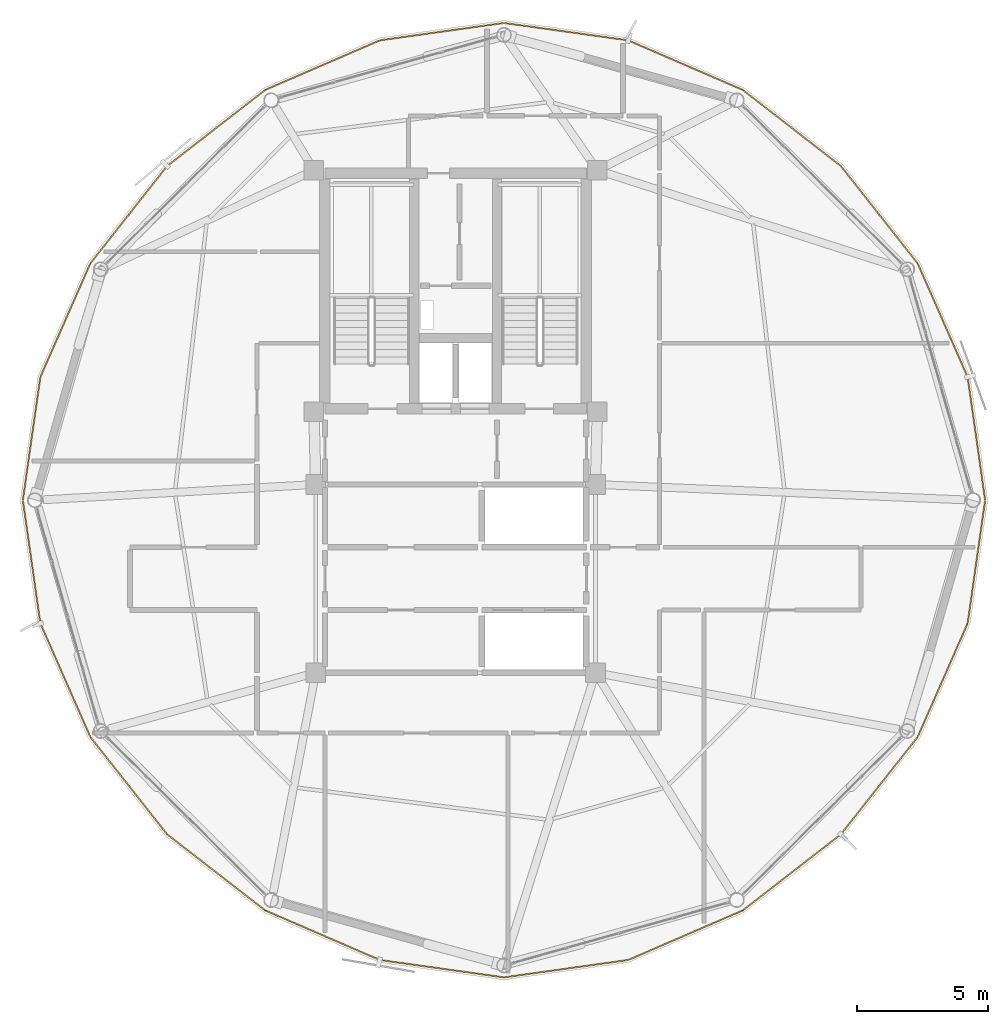
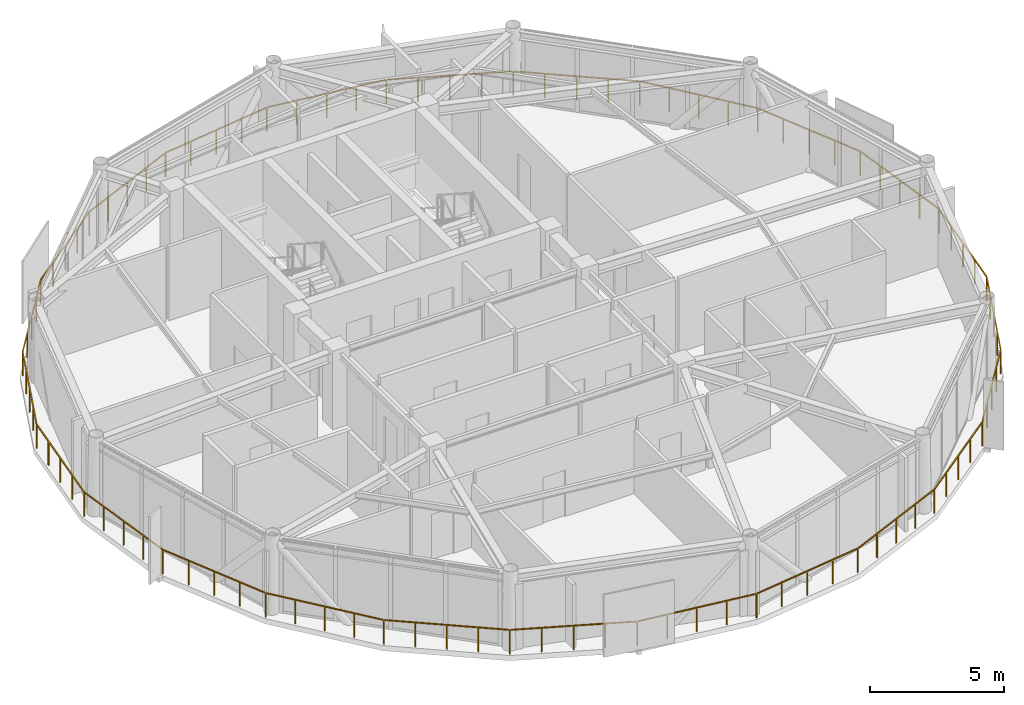
# One storey, part 24 of 25: 1 railing.
"""IFC4 building model written with IfcOpenShell, lengths in metres."""

from ifc_helpers import new_model, si_unit, direction, frame, origin, origin_2d, place, context, subcontext, project, spatial, rectangle, extrude, material, type_object, element, save


model = new_model("IFC4")

# Units and contexts
model_context = context("Model", 3, precision=1e-05, world=origin(), true_north=direction((0.0, 1.0)))
body_context = subcontext(model_context, "Body", "Model", "MODEL_VIEW")
ifc_project = project(units=[si_unit("LENGTHUNIT", "METRE"), si_unit("AREAUNIT", "SQUARE_METRE"), si_unit("VOLUMEUNIT", "CUBIC_METRE"), si_unit("PLANEANGLEUNIT", "RADIAN"), si_unit("MASSUNIT", "GRAM", prefix="KILO")], contexts=[model_context])

# Site, building, storey
site_placement = place(None, origin())
site = spatial("IfcSite", under=ifc_project, at=site_placement, CompositionType="ELEMENT")
building_placement = place(site_placement, origin())
building = spatial("IfcBuilding", under=site, at=building_placement, Name="Varnakorn Sky Granary", CompositionType="ELEMENT")
storey_placement = place(building_placement, frame((0.0, 0.0, 277.800048828125)))
storey = spatial("IfcBuildingStorey", under=building, at=storey_placement, Name="L71", CompositionType="ELEMENT", Elevation=277.800048828125)

# Railing
ifc_material = material(Name="Anodised Bronze Aluminium Alloy 6063-T6", Category="aluminium")
railing_type = type_object("IfcRailingType", Name="RL-BAL-1120", PredefinedType="BALUSTRADE", material=ifc_material)
railing_placement = place(storey_placement, frame((23.251953125, 0.0, 0.0)))
element("IfcRailing", 1, at=railing_placement, inside=storey, type_object=railing_type, Name="Perimeter Slab-Edge Safety Guard L71", PredefinedType="BALUSTRADE", context=body_context, shape_type="SweptSolid", body=[
    extrude(rectangle(XDim=0.048095703125, YDim=0.048095703125, at=origin_2d()), frame((-0.00390625, -0.02783203125, 1.09619140625), z_axis=(-0.140803517345, -0.990037559643, 0.0), x_axis=(0.990037559643, -0.140803517345, 0.0)), (0.0, 0.0, 1.0), 4.701904296875),
    extrude(rectangle(XDim=0.048095703125, YDim=0.048095703125, at=origin_2d()), frame((-0.68115234375, -4.736083984375, 1.09619140625), z_axis=(-0.402528367835, -0.915407512034, 0.0), x_axis=(0.915407512034, -0.402528367835, 0.0)), (0.0, 0.0, 1.0), 4.69189453125),
    extrude(rectangle(XDim=0.048095703125, YDim=0.048095703125, at=origin_2d()), frame((-2.598388671875, -9.07861328125, 1.09619140625), z_axis=(-0.619328599984, -0.785131890349, 0.0), x_axis=(0.785131890349, -0.619328599984, 0.0)), (0.0, 0.0, 1.0), 4.683837890625),
    extrude(rectangle(XDim=0.048095703125, YDim=0.048095703125, at=origin_2d()), frame((-5.538818359375, -12.795166015625, 1.09619140625), z_axis=(-0.790079575015, -0.613004294556, 0.0), x_axis=(0.613004294556, -0.790079575015, 0.0)), (0.0, 0.0, 1.0), 4.69384765625),
    extrude(rectangle(XDim=0.048095703125, YDim=0.048095703125, at=origin_2d()), frame((-9.294921875, -15.700927734375, 1.09619140625), z_axis=(-0.917774961964, -0.397100892963, 0.0), x_axis=(0.397100892963, -0.917774961964, 0.0)), (0.0, 0.0, 1.0), 4.71923828125),
    extrude(rectangle(XDim=0.048095703125, YDim=0.048095703125, at=origin_2d()), frame((-13.6796875, -17.58984375, 1.09619140625), z_axis=(-0.990340628366, -0.13865583222, 0.0), x_axis=(0.13865583222, -0.990340628366, 0.0)), (0.0, 0.0, 1.0), 4.740234375),
    extrude(rectangle(XDim=0.048095703125, YDim=0.048095703125, at=origin_2d()), frame((-18.4296875, -18.2470703125, 1.09619140625), z_axis=(-0.990340628366, 0.13865583222, 0.0), x_axis=(-0.13865583222, -0.990340628366, 0.0)), (0.0, 0.0, 1.0), 4.740234375),
    extrude(rectangle(XDim=0.048095703125, YDim=0.048095703125, at=origin_2d()), frame((-23.177490234375, -17.57470703125, 1.09619140625), z_axis=(-0.917783023517, 0.397082260676, 0.0), x_axis=(-0.397082260676, -0.917783023517, 0.0)), (0.0, 0.0, 1.0), 4.719482421875),
    extrude(rectangle(XDim=0.048095703125, YDim=0.048095703125, at=origin_2d()), frame((-27.556884765625, -15.672607421875, 1.09619140625), z_axis=(-0.790079575015, 0.613004294556, 0.0), x_axis=(-0.613004294556, -0.790079575015, 0.0)), (0.0, 0.0, 1.0), 4.69384765625),
    extrude(rectangle(XDim=0.048095703125, YDim=0.048095703125, at=origin_2d()), frame((-31.3046875, -12.756103515625, 1.09619140625), z_axis=(-0.619296847465, 0.785156936364, 0.0), x_axis=(-0.785156936364, -0.619296847465, 0.0)), (0.0, 0.0, 1.0), 4.683837890625),
    extrude(rectangle(XDim=0.048095703125, YDim=0.048095703125, at=origin_2d()), frame((-34.23388671875, -9.031005859375, 1.09619140625), z_axis=(-0.402571456311, 0.915388563706, 0.0), x_axis=(-0.915388563706, -0.402571456311, 0.0)), (0.0, 0.0, 1.0), 4.69189453125),
    extrude(rectangle(XDim=0.048095703125, YDim=0.048095703125, at=origin_2d()), frame((-36.137939453125, -4.6826171875, 1.09619140625), z_axis=(-0.140803517345, 0.990037559643, 0.0), x_axis=(-0.990037559643, -0.140803517345, 0.0)), (0.0, 0.0, 1.0), 4.701904296875),
    extrude(rectangle(XDim=0.048095703125, YDim=0.048095703125, at=origin_2d()), frame((-36.800048828125, 0.02783203125, 1.09619140625), z_axis=(0.140803517345, 0.990037559643, 0.0), x_axis=(-0.990037559643, 0.140803517345, 0.0)), (0.0, 0.0, 1.0), 4.701904296875),
    extrude(rectangle(XDim=0.048095703125, YDim=0.048095703125, at=origin_2d()), frame((-36.122802734375, 4.736083984375, 1.09619140625), z_axis=(0.402571456311, 0.915388563706, 0.0), x_axis=(-0.915388563706, 0.402571456311, 0.0)), (0.0, 0.0, 1.0), 4.69189453125),
    extrude(rectangle(XDim=0.048095703125, YDim=0.048095703125, at=origin_2d()), frame((-34.205322265625, 9.07861328125, 1.09619140625), z_axis=(0.619296847465, 0.785156936364, 0.0), x_axis=(-0.785156936364, 0.619296847465, 0.0)), (0.0, 0.0, 1.0), 4.683837890625),
    extrude(rectangle(XDim=0.048095703125, YDim=0.048095703125, at=origin_2d()), frame((-31.26513671875, 12.795166015625, 1.09619140625), z_axis=(0.790079575015, 0.613004294556, 0.0), x_axis=(-0.613004294556, 0.790079575015, 0.0)), (0.0, 0.0, 1.0), 4.69384765625),
    extrude(rectangle(XDim=0.048095703125, YDim=0.048095703125, at=origin_2d()), frame((-27.509033203125, 15.700927734375, 1.09619140625), z_axis=(0.917783023517, 0.397082260676, 0.0), x_axis=(-0.397082260676, 0.917783023517, 0.0)), (0.0, 0.0, 1.0), 4.719482421875),
    extrude(rectangle(XDim=0.048095703125, YDim=0.048095703125, at=origin_2d()), frame((-23.1240234375, 17.58984375, 1.09619140625), z_axis=(0.990340628366, 0.13865583222, 0.0), x_axis=(-0.13865583222, 0.990340628366, 0.0)), (0.0, 0.0, 1.0), 4.740234375),
    extrude(rectangle(XDim=0.048095703125, YDim=0.048095703125, at=origin_2d()), frame((-18.3740234375, 18.2470703125, 1.09619140625), z_axis=(0.990340628366, -0.13865583222, 0.0), x_axis=(0.13865583222, 0.990340628366, 0.0)), (0.0, 0.0, 1.0), 4.740234375),
    extrude(rectangle(XDim=0.048095703125, YDim=0.048095703125, at=origin_2d()), frame((-13.626220703125, 17.57470703125, 1.09619140625), z_axis=(0.917774961964, -0.397100892963, 0.0), x_axis=(0.397100892963, 0.917774961964, 0.0)), (0.0, 0.0, 1.0), 4.71923828125),
    extrude(rectangle(XDim=0.048095703125, YDim=0.048095703125, at=origin_2d()), frame((-9.2470703125, 15.672607421875, 1.09619140625), z_axis=(0.790079575015, -0.613004294556, 0.0), x_axis=(0.613004294556, 0.790079575015, 0.0)), (0.0, 0.0, 1.0), 4.69384765625),
    extrude(rectangle(XDim=0.048095703125, YDim=0.048095703125, at=origin_2d()), frame((-5.499267578125, 12.756103515625, 1.09619140625), z_axis=(0.619328599984, -0.785131890349, 0.0), x_axis=(0.785131890349, 0.619328599984, 0.0)), (0.0, 0.0, 1.0), 4.683837890625),
    extrude(rectangle(XDim=0.048095703125, YDim=0.048095703125, at=origin_2d()), frame((-2.56982421875, 9.031005859375, 1.09619140625), z_axis=(0.402528367835, -0.915407512034, 0.0), x_axis=(0.915407512034, 0.402528367835, 0.0)), (0.0, 0.0, 1.0), 4.69189453125),
    extrude(rectangle(XDim=0.048095703125, YDim=0.048095703125, at=origin_2d()), frame((-0.666015625, 4.6826171875, 1.09619140625), z_axis=(0.140803517345, -0.990037559643, 0.0), x_axis=(0.990037559643, 0.140803517345, 0.0)), (0.0, 0.0, 1.0), 4.701904296875),
    extrude(rectangle(XDim=0.0419921875, YDim=0.0419921875, at=origin_2d()), origin(), (0.0, 0.0, 1.0), 1.068115234375),
    extrude(rectangle(XDim=0.0419921875, YDim=0.0419921875, at=origin_2d()), frame((-0.16748046875, -1.177734375, 0.0)), (0.0, 0.0, 1.0), 1.068115234375),
    extrude(rectangle(XDim=0.0419921875, YDim=0.0419921875, at=origin_2d()), frame((-0.3349609375, -2.355224609375, 0.0)), (0.0, 0.0, 1.0), 1.068115234375),
    extrude(rectangle(XDim=0.0419921875, YDim=0.0419921875, at=origin_2d()), frame((-0.50244140625, -3.53271484375, 0.0)), (0.0, 0.0, 1.0), 1.068115234375),
    extrude(rectangle(XDim=0.0419921875, YDim=0.0419921875, at=origin_2d()), frame((-0.669921875, -4.71044921875, 0.0)), (0.0, 0.0, 1.0), 1.068115234375),
    extrude(rectangle(XDim=0.0419921875, YDim=0.0419921875, at=origin_2d()), frame((-1.147705078125, -5.796875, 0.0)), (0.0, 0.0, 1.0), 1.068115234375),
    extrude(rectangle(XDim=0.0419921875, YDim=0.0419921875, at=origin_2d()), frame((-1.62548828125, -6.883544921875, 0.0)), (0.0, 0.0, 1.0), 1.068115234375),
    extrude(rectangle(XDim=0.0419921875, YDim=0.0419921875, at=origin_2d()), frame((-2.103271484375, -7.97021484375, 0.0)), (0.0, 0.0, 1.0), 1.068115234375),
    extrude(rectangle(XDim=0.0419921875, YDim=0.0419921875, at=origin_2d()), frame((-2.5810546875, -9.056640625, 0.0)), (0.0, 0.0, 1.0), 1.068115234375),
    extrude(rectangle(XDim=0.0419921875, YDim=0.0419921875, at=origin_2d()), frame((-3.31494140625, -9.987060546875, 0.0)), (0.0, 0.0, 1.0), 1.068115234375),
    extrude(rectangle(XDim=0.0419921875, YDim=0.0419921875, at=origin_2d()), frame((-4.048828125, -10.91748046875, 0.0)), (0.0, 0.0, 1.0), 1.068115234375),
    extrude(rectangle(XDim=0.0419921875, YDim=0.0419921875, at=origin_2d()), frame((-4.78271484375, -11.84765625, 0.0)), (0.0, 0.0, 1.0), 1.068115234375),
    extrude(rectangle(XDim=0.0419921875, YDim=0.0419921875, at=origin_2d()), frame((-5.5166015625, -12.778076171875, 0.0)), (0.0, 0.0, 1.0), 1.068115234375),
    extrude(rectangle(XDim=0.0419921875, YDim=0.0419921875, at=origin_2d()), frame((-6.454833984375, -13.505859375, 0.0)), (0.0, 0.0, 1.0), 1.068115234375),
    extrude(rectangle(XDim=0.0419921875, YDim=0.0419921875, at=origin_2d()), frame((-7.39306640625, -14.23388671875, 0.0)), (0.0, 0.0, 1.0), 1.068115234375),
    extrude(rectangle(XDim=0.0419921875, YDim=0.0419921875, at=origin_2d()), frame((-8.3310546875, -14.9619140625, 0.0)), (0.0, 0.0, 1.0), 1.068115234375),
    extrude(rectangle(XDim=0.0419921875, YDim=0.0419921875, at=origin_2d()), frame((-9.269287109375, -15.689697265625, 0.0)), (0.0, 0.0, 1.0), 1.068115234375),
    extrude(rectangle(XDim=0.0419921875, YDim=0.0419921875, at=origin_2d()), frame((-10.364990234375, -16.163818359375, 0.0)), (0.0, 0.0, 1.0), 1.068115234375),
    extrude(rectangle(XDim=0.0419921875, YDim=0.0419921875, at=origin_2d()), frame((-11.46044921875, -16.6376953125, 0.0)), (0.0, 0.0, 1.0), 1.068115234375),
    extrude(rectangle(XDim=0.0419921875, YDim=0.0419921875, at=origin_2d()), frame((-12.55615234375, -17.11181640625, 0.0)), (0.0, 0.0, 1.0), 1.068115234375),
    extrude(rectangle(XDim=0.0419921875, YDim=0.0419921875, at=origin_2d()), frame((-13.65185546875, -17.5859375, 0.0)), (0.0, 0.0, 1.0), 1.068115234375),
    extrude(rectangle(XDim=0.0419921875, YDim=0.0419921875, at=origin_2d()), frame((-14.83935546875, -17.752197265625, 0.0)), (0.0, 0.0, 1.0), 1.068115234375),
    extrude(rectangle(XDim=0.0419921875, YDim=0.0419921875, at=origin_2d()), frame((-16.02685546875, -17.91845703125, 0.0)), (0.0, 0.0, 1.0), 1.068115234375),
    extrude(rectangle(XDim=0.0419921875, YDim=0.0419921875, at=origin_2d()), frame((-17.21435546875, -18.084716796875, 0.0)), (0.0, 0.0, 1.0), 1.068115234375),
    extrude(rectangle(XDim=0.0419921875, YDim=0.0419921875, at=origin_2d()), frame((-18.40185546875, -18.2509765625, 0.0)), (0.0, 0.0, 1.0), 1.068115234375),
    extrude(rectangle(XDim=0.0419921875, YDim=0.0419921875, at=origin_2d()), frame((-19.58935546875, -18.084716796875, 0.0)), (0.0, 0.0, 1.0), 1.068115234375),
    extrude(rectangle(XDim=0.0419921875, YDim=0.0419921875, at=origin_2d()), frame((-20.77685546875, -17.91845703125, 0.0)), (0.0, 0.0, 1.0), 1.068115234375),
    extrude(rectangle(XDim=0.0419921875, YDim=0.0419921875, at=origin_2d()), frame((-21.96435546875, -17.752197265625, 0.0)), (0.0, 0.0, 1.0), 1.068115234375),
    extrude(rectangle(XDim=0.0419921875, YDim=0.0419921875, at=origin_2d()), frame((-23.15185546875, -17.5859375, 0.0)), (0.0, 0.0, 1.0), 1.068115234375),
    extrude(rectangle(XDim=0.0419921875, YDim=0.0419921875, at=origin_2d()), frame((-24.24755859375, -17.11181640625, 0.0)), (0.0, 0.0, 1.0), 1.068115234375),
    extrude(rectangle(XDim=0.0419921875, YDim=0.0419921875, at=origin_2d()), frame((-25.34326171875, -16.6376953125, 0.0)), (0.0, 0.0, 1.0), 1.068115234375),
    extrude(rectangle(XDim=0.0419921875, YDim=0.0419921875, at=origin_2d()), frame((-26.43896484375, -16.163818359375, 0.0)), (0.0, 0.0, 1.0), 1.068115234375),
    extrude(rectangle(XDim=0.0419921875, YDim=0.0419921875, at=origin_2d()), frame((-27.53466796875, -15.689697265625, 0.0)), (0.0, 0.0, 1.0), 1.068115234375),
    extrude(rectangle(XDim=0.0419921875, YDim=0.0419921875, at=origin_2d()), frame((-28.472900390625, -14.9619140625, 0.0)), (0.0, 0.0, 1.0), 1.068115234375),
    extrude(rectangle(XDim=0.0419921875, YDim=0.0419921875, at=origin_2d()), frame((-29.4111328125, -14.23388671875, 0.0)), (0.0, 0.0, 1.0), 1.068115234375),
    extrude(rectangle(XDim=0.0419921875, YDim=0.0419921875, at=origin_2d()), frame((-30.34912109375, -13.505859375, 0.0)), (0.0, 0.0, 1.0), 1.068115234375),
    extrude(rectangle(XDim=0.0419921875, YDim=0.0419921875, at=origin_2d()), frame((-31.287353515625, -12.778076171875, 0.0)), (0.0, 0.0, 1.0), 1.068115234375),
    extrude(rectangle(XDim=0.0419921875, YDim=0.0419921875, at=origin_2d()), frame((-32.021240234375, -11.84765625, 0.0)), (0.0, 0.0, 1.0), 1.068115234375),
    extrude(rectangle(XDim=0.0419921875, YDim=0.0419921875, at=origin_2d()), frame((-32.7548828125, -10.91748046875, 0.0)), (0.0, 0.0, 1.0), 1.068115234375),
    extrude(rectangle(XDim=0.0419921875, YDim=0.0419921875, at=origin_2d()), frame((-33.48876953125, -9.987060546875, 0.0)), (0.0, 0.0, 1.0), 1.068115234375),
    extrude(rectangle(XDim=0.0419921875, YDim=0.0419921875, at=origin_2d()), frame((-34.22265625, -9.056640625, 0.0)), (0.0, 0.0, 1.0), 1.068115234375),
    extrude(rectangle(XDim=0.0419921875, YDim=0.0419921875, at=origin_2d()), frame((-34.700439453125, -7.97021484375, 0.0)), (0.0, 0.0, 1.0), 1.068115234375),
    extrude(rectangle(XDim=0.0419921875, YDim=0.0419921875, at=origin_2d()), frame((-35.17822265625, -6.883544921875, 0.0)), (0.0, 0.0, 1.0), 1.068115234375),
    extrude(rectangle(XDim=0.0419921875, YDim=0.0419921875, at=origin_2d()), frame((-35.65625, -5.796875, 0.0)), (0.0, 0.0, 1.0), 1.068115234375),
    extrude(rectangle(XDim=0.0419921875, YDim=0.0419921875, at=origin_2d()), frame((-36.134033203125, -4.71044921875, 0.0)), (0.0, 0.0, 1.0), 1.068115234375),
    extrude(rectangle(XDim=0.0419921875, YDim=0.0419921875, at=origin_2d()), frame((-36.301513671875, -3.53271484375, 0.0)), (0.0, 0.0, 1.0), 1.068115234375),
    extrude(rectangle(XDim=0.0419921875, YDim=0.0419921875, at=origin_2d()), frame((-36.468994140625, -2.355224609375, 0.0)), (0.0, 0.0, 1.0), 1.068115234375),
    extrude(rectangle(XDim=0.0419921875, YDim=0.0419921875, at=origin_2d()), frame((-36.636474609375, -1.177734375, 0.0)), (0.0, 0.0, 1.0), 1.068115234375),
    extrude(rectangle(XDim=0.0419921875, YDim=0.0419921875, at=origin_2d()), frame((-36.803955078125, 0.0, 0.0)), (0.0, 0.0, 1.0), 1.068115234375),
    extrude(rectangle(XDim=0.0419921875, YDim=0.0419921875, at=origin_2d()), frame((-36.636474609375, 1.177734375, 0.0)), (0.0, 0.0, 1.0), 1.068115234375),
    extrude(rectangle(XDim=0.0419921875, YDim=0.0419921875, at=origin_2d()), frame((-36.468994140625, 2.355224609375, 0.0)), (0.0, 0.0, 1.0), 1.068115234375),
    extrude(rectangle(XDim=0.0419921875, YDim=0.0419921875, at=origin_2d()), frame((-36.301513671875, 3.53271484375, 0.0)), (0.0, 0.0, 1.0), 1.068115234375),
    extrude(rectangle(XDim=0.0419921875, YDim=0.0419921875, at=origin_2d()), frame((-36.134033203125, 4.71044921875, 0.0)), (0.0, 0.0, 1.0), 1.068115234375),
    extrude(rectangle(XDim=0.0419921875, YDim=0.0419921875, at=origin_2d()), frame((-35.65625, 5.796875, 0.0)), (0.0, 0.0, 1.0), 1.068115234375),
    extrude(rectangle(XDim=0.0419921875, YDim=0.0419921875, at=origin_2d()), frame((-35.17822265625, 6.883544921875, 0.0)), (0.0, 0.0, 1.0), 1.068115234375),
    extrude(rectangle(XDim=0.0419921875, YDim=0.0419921875, at=origin_2d()), frame((-34.700439453125, 7.97021484375, 0.0)), (0.0, 0.0, 1.0), 1.068115234375),
    extrude(rectangle(XDim=0.0419921875, YDim=0.0419921875, at=origin_2d()), frame((-34.22265625, 9.056640625, 0.0)), (0.0, 0.0, 1.0), 1.068115234375),
    extrude(rectangle(XDim=0.0419921875, YDim=0.0419921875, at=origin_2d()), frame((-33.48876953125, 9.987060546875, 0.0)), (0.0, 0.0, 1.0), 1.068115234375),
    extrude(rectangle(XDim=0.0419921875, YDim=0.0419921875, at=origin_2d()), frame((-32.7548828125, 10.91748046875, 0.0)), (0.0, 0.0, 1.0), 1.068115234375),
    extrude(rectangle(XDim=0.0419921875, YDim=0.0419921875, at=origin_2d()), frame((-32.021240234375, 11.84765625, 0.0)), (0.0, 0.0, 1.0), 1.068115234375),
    extrude(rectangle(XDim=0.0419921875, YDim=0.0419921875, at=origin_2d()), frame((-31.287353515625, 12.778076171875, 0.0)), (0.0, 0.0, 1.0), 1.068115234375),
    extrude(rectangle(XDim=0.0419921875, YDim=0.0419921875, at=origin_2d()), frame((-30.34912109375, 13.505859375, 0.0)), (0.0, 0.0, 1.0), 1.068115234375),
    extrude(rectangle(XDim=0.0419921875, YDim=0.0419921875, at=origin_2d()), frame((-29.4111328125, 14.23388671875, 0.0)), (0.0, 0.0, 1.0), 1.068115234375),
    extrude(rectangle(XDim=0.0419921875, YDim=0.0419921875, at=origin_2d()), frame((-28.472900390625, 14.9619140625, 0.0)), (0.0, 0.0, 1.0), 1.068115234375),
    extrude(rectangle(XDim=0.0419921875, YDim=0.0419921875, at=origin_2d()), frame((-27.53466796875, 15.689697265625, 0.0)), (0.0, 0.0, 1.0), 1.068115234375),
    extrude(rectangle(XDim=0.0419921875, YDim=0.0419921875, at=origin_2d()), frame((-26.43896484375, 16.163818359375, 0.0)), (0.0, 0.0, 1.0), 1.068115234375),
    extrude(rectangle(XDim=0.0419921875, YDim=0.0419921875, at=origin_2d()), frame((-25.34326171875, 16.6376953125, 0.0)), (0.0, 0.0, 1.0), 1.068115234375),
    extrude(rectangle(XDim=0.0419921875, YDim=0.0419921875, at=origin_2d()), frame((-24.24755859375, 17.11181640625, 0.0)), (0.0, 0.0, 1.0), 1.068115234375),
    extrude(rectangle(XDim=0.0419921875, YDim=0.0419921875, at=origin_2d()), frame((-23.15185546875, 17.5859375, 0.0)), (0.0, 0.0, 1.0), 1.068115234375),
    extrude(rectangle(XDim=0.0419921875, YDim=0.0419921875, at=origin_2d()), frame((-21.96435546875, 17.752197265625, 0.0)), (0.0, 0.0, 1.0), 1.068115234375),
    extrude(rectangle(XDim=0.0419921875, YDim=0.0419921875, at=origin_2d()), frame((-20.77685546875, 17.91845703125, 0.0)), (0.0, 0.0, 1.0), 1.068115234375),
    extrude(rectangle(XDim=0.0419921875, YDim=0.0419921875, at=origin_2d()), frame((-19.58935546875, 18.084716796875, 0.0)), (0.0, 0.0, 1.0), 1.068115234375),
    extrude(rectangle(XDim=0.0419921875, YDim=0.0419921875, at=origin_2d()), frame((-18.40185546875, 18.2509765625, 0.0)), (0.0, 0.0, 1.0), 1.068115234375),
    extrude(rectangle(XDim=0.0419921875, YDim=0.0419921875, at=origin_2d()), frame((-17.21435546875, 18.084716796875, 0.0)), (0.0, 0.0, 1.0), 1.068115234375),
    extrude(rectangle(XDim=0.0419921875, YDim=0.0419921875, at=origin_2d()), frame((-16.02685546875, 17.91845703125, 0.0)), (0.0, 0.0, 1.0), 1.068115234375),
    extrude(rectangle(XDim=0.0419921875, YDim=0.0419921875, at=origin_2d()), frame((-14.83935546875, 17.752197265625, 0.0)), (0.0, 0.0, 1.0), 1.068115234375),
    extrude(rectangle(XDim=0.0419921875, YDim=0.0419921875, at=origin_2d()), frame((-13.65185546875, 17.5859375, 0.0)), (0.0, 0.0, 1.0), 1.068115234375),
    extrude(rectangle(XDim=0.0419921875, YDim=0.0419921875, at=origin_2d()), frame((-12.55615234375, 17.11181640625, 0.0)), (0.0, 0.0, 1.0), 1.068115234375),
    extrude(rectangle(XDim=0.0419921875, YDim=0.0419921875, at=origin_2d()), frame((-11.46044921875, 16.6376953125, 0.0)), (0.0, 0.0, 1.0), 1.068115234375),
    extrude(rectangle(XDim=0.0419921875, YDim=0.0419921875, at=origin_2d()), frame((-10.364990234375, 16.163818359375, 0.0)), (0.0, 0.0, 1.0), 1.068115234375),
    extrude(rectangle(XDim=0.0419921875, YDim=0.0419921875, at=origin_2d()), frame((-9.269287109375, 15.689697265625, 0.0)), (0.0, 0.0, 1.0), 1.068115234375),
    extrude(rectangle(XDim=0.0419921875, YDim=0.0419921875, at=origin_2d()), frame((-8.3310546875, 14.9619140625, 0.0)), (0.0, 0.0, 1.0), 1.068115234375),
    extrude(rectangle(XDim=0.0419921875, YDim=0.0419921875, at=origin_2d()), frame((-7.39306640625, 14.23388671875, 0.0)), (0.0, 0.0, 1.0), 1.068115234375),
    extrude(rectangle(XDim=0.0419921875, YDim=0.0419921875, at=origin_2d()), frame((-6.454833984375, 13.505859375, 0.0)), (0.0, 0.0, 1.0), 1.068115234375),
    extrude(rectangle(XDim=0.0419921875, YDim=0.0419921875, at=origin_2d()), frame((-5.5166015625, 12.778076171875, 0.0)), (0.0, 0.0, 1.0), 1.068115234375),
    extrude(rectangle(XDim=0.0419921875, YDim=0.0419921875, at=origin_2d()), frame((-4.78271484375, 11.84765625, 0.0)), (0.0, 0.0, 1.0), 1.068115234375),
    extrude(rectangle(XDim=0.0419921875, YDim=0.0419921875, at=origin_2d()), frame((-4.048828125, 10.91748046875, 0.0)), (0.0, 0.0, 1.0), 1.068115234375),
    extrude(rectangle(XDim=0.0419921875, YDim=0.0419921875, at=origin_2d()), frame((-3.31494140625, 9.987060546875, 0.0)), (0.0, 0.0, 1.0), 1.068115234375),
    extrude(rectangle(XDim=0.0419921875, YDim=0.0419921875, at=origin_2d()), frame((-2.5810546875, 9.056640625, 0.0)), (0.0, 0.0, 1.0), 1.068115234375),
    extrude(rectangle(XDim=0.0419921875, YDim=0.0419921875, at=origin_2d()), frame((-2.103271484375, 7.97021484375, 0.0)), (0.0, 0.0, 1.0), 1.068115234375),
    extrude(rectangle(XDim=0.0419921875, YDim=0.0419921875, at=origin_2d()), frame((-1.62548828125, 6.883544921875, 0.0)), (0.0, 0.0, 1.0), 1.068115234375),
    extrude(rectangle(XDim=0.0419921875, YDim=0.0419921875, at=origin_2d()), frame((-1.147705078125, 5.796875, 0.0)), (0.0, 0.0, 1.0), 1.068115234375),
    extrude(rectangle(XDim=0.0419921875, YDim=0.0419921875, at=origin_2d()), frame((-0.669921875, 4.71044921875, 0.0)), (0.0, 0.0, 1.0), 1.068115234375),
    extrude(rectangle(XDim=0.0419921875, YDim=0.0419921875, at=origin_2d()), frame((-0.50244140625, 3.53271484375, 0.0)), (0.0, 0.0, 1.0), 1.068115234375),
    extrude(rectangle(XDim=0.0419921875, YDim=0.0419921875, at=origin_2d()), frame((-0.3349609375, 2.355224609375, 0.0)), (0.0, 0.0, 1.0), 1.068115234375),
    extrude(rectangle(XDim=0.0419921875, YDim=0.0419921875, at=origin_2d()), frame((-0.16748046875, 1.177734375, 0.0)), (0.0, 0.0, 1.0), 1.068115234375),
])

save(model, "model.ifc")
